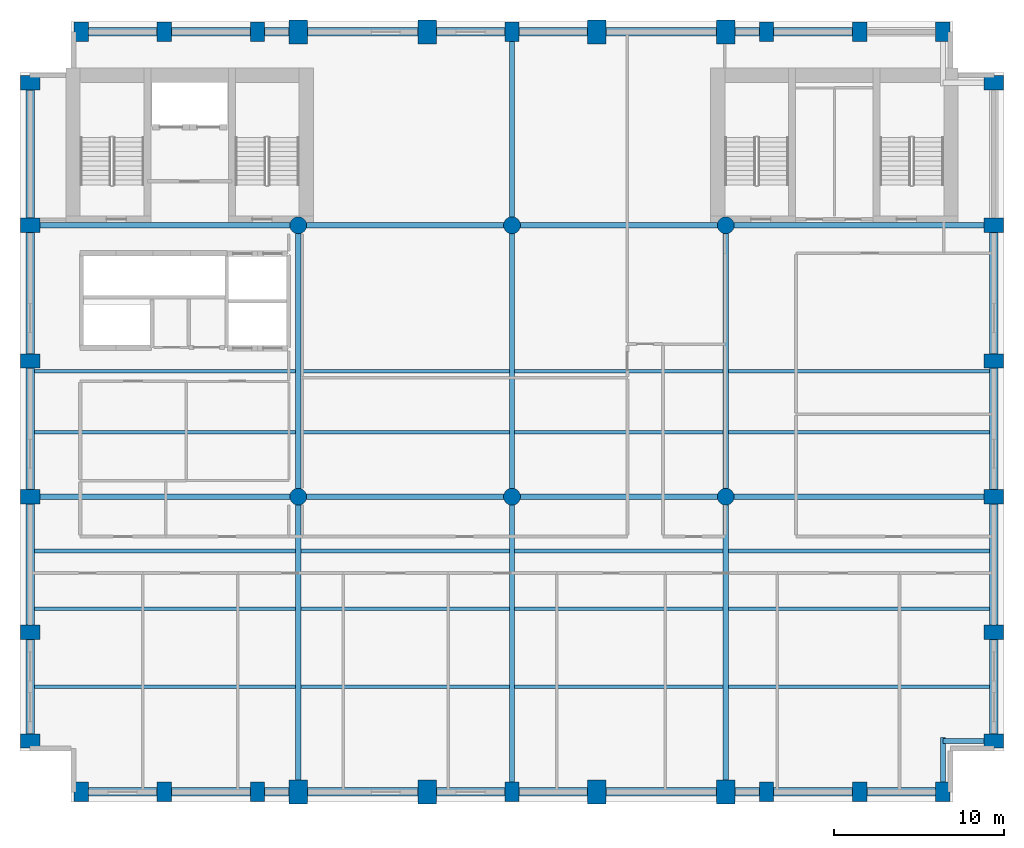
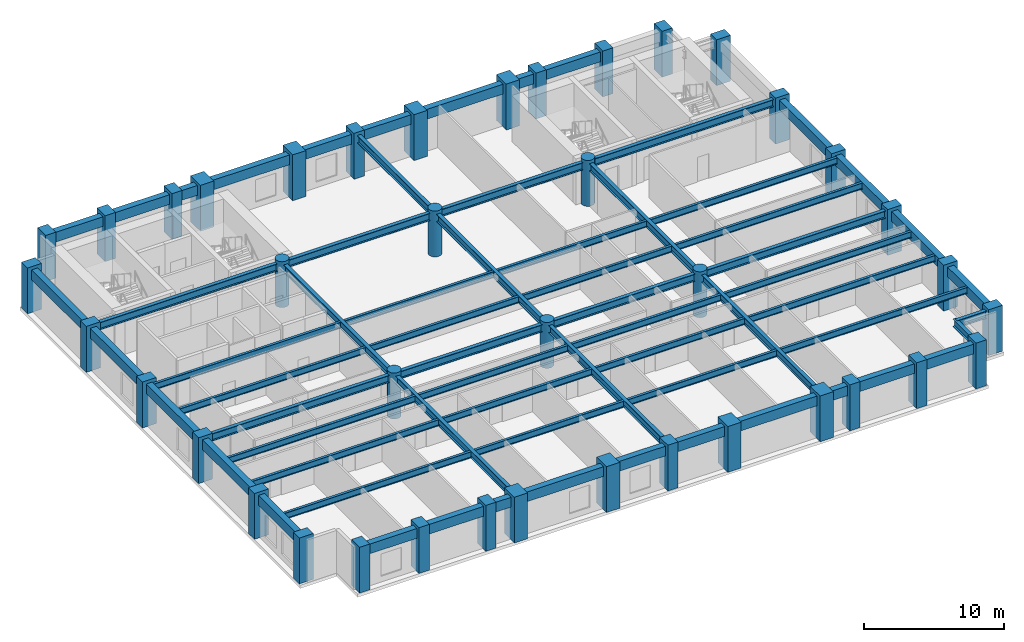
# One storey, part 1 of 8: 65 beams, 40 columns.
"""IFC4 building model written with IfcOpenShell, lengths in metres."""

from ifc_helpers import new_model, si_unit, direction, frame, origin, origin_2d, place, context, subcontext, project, spatial, rectangle, circle, i_section, extrude, material, material_profile, profile_set, type_object, element, save


model = new_model("IFC4")

# Units and contexts
model_context = context("Model", 3, precision=1e-05, world=origin(), true_north=direction((0.0, 1.0)))
body_context = subcontext(model_context, "Body", "Model", "MODEL_VIEW")
ifc_project = project(units=[si_unit("LENGTHUNIT", "METRE"), si_unit("AREAUNIT", "SQUARE_METRE"), si_unit("VOLUMEUNIT", "CUBIC_METRE"), si_unit("PLANEANGLEUNIT", "RADIAN"), si_unit("MASSUNIT", "GRAM", prefix="KILO")], contexts=[model_context])

# Site, building, storey
site_placement = place(None, origin())
site = spatial("IfcSite", under=ifc_project, at=site_placement, CompositionType="ELEMENT")
building_placement = place(site_placement, origin())
building = spatial("IfcBuilding", under=site, at=building_placement, Name="Sulina Concourse Tower", CompositionType="ELEMENT")
storey_placement = place(building_placement, frame((0.0, 0.0, 144.60009765625)))
storey = spatial("IfcBuildingStorey", under=building, at=storey_placement, Name="L35", CompositionType="ELEMENT", Elevation=144.60009765625)

# Columns
ifc_material_1 = material(Name="Concrete C60/75", Category="concrete")
ifc_material_profile_1 = material_profile(ifc_material_1, circle(Radius=0.5, at=origin_2d()), Name="RC D1000")
ifc_profile_set_1 = profile_set([ifc_material_profile_1], Name="Concrete C60/75")
column_type_1 = type_object("IfcColumnType", Name="Lower Interior Circular Column D1000", PredefinedType="COLUMN", material=ifc_profile_set_1)
for number, where, z_axis, x_axis, name in (
    (1, (16.39990234375, 18.0, 0.0), (0.0, 0.0, 1.0), (1.0, 0.0, 0.0), "L35 structural column IC-M-164"),
    (2, (16.39990234375, 34.0, 0.0), (0.0, 0.0, 1.0), (1.0, 0.0, 0.0), "L35 structural column IC-N-164"),
    (3, (29.0, 18.0, 0.0), (0.0, 0.0, 1.0), (1.0, 0.0, 0.0), "L35 structural column IC-M-290"),
    (4, (29.0, 34.0, 0.0), (0.0, 0.0, 1.0), (1.0, 0.0, 0.0), "L35 structural column IC-N-290"),
    (5, (41.60009765625, 18.0, 0.0), (0.0, 0.0, 1.0), (1.0, 0.0, 0.0), "L35 structural column IC-M-416"),
    (6, (41.60009765625, 34.0, 0.0), (0.0, 0.0, 1.0), (1.0, 0.0, 0.0), "L35 structural column IC-N-416"),
):
    element("IfcColumn", number, at=place(storey_placement, frame(where, z_axis=z_axis, x_axis=x_axis)), inside=storey, type_object=column_type_1, Name=name, PredefinedType="COLUMN", context=body_context, shape_type="SweptSolid", body=[
        extrude(circle(Radius=0.5, at=origin_2d()), origin(), (0.0, 0.0, 1.0), 4.0),
    ])
ifc_material_2 = material(Name="Concrete C60/75", Category="concrete")
ifc_material_profile_2 = material_profile(ifc_material_2, rectangle(XDim=1.10009765625, YDim=1.39990234375, at=origin_2d()), Name="RC 1100x1400")
ifc_profile_set_2 = profile_set([ifc_material_profile_2], Name="Concrete C60/75")
column_type_2 = type_object("IfcColumnType", Name="Mid-Rise Portal Column 1100x1400", PredefinedType="COLUMN", material=ifc_profile_set_2)
for number, where, z_axis, x_axis, name in (
    (7, (16.39990234375, 0.60009765625, 0.0), (0.0, 0.0, 1.0), (1.0, 0.0, 0.0), "L35 structural column TP-S-164"),
    (8, (16.39990234375, 45.39990234375, 0.0), (0.0, 0.0, 1.0), (1.0, 0.0, 0.0), "L35 structural column TP-N-164"),
    (9, (24.0, 0.60009765625, 0.0), (0.0, 0.0, 1.0), (1.0, 0.0, 0.0), "L35 structural column TP-S-240"),
    (10, (24.0, 45.39990234375, 0.0), (0.0, 0.0, 1.0), (1.0, 0.0, 0.0), "L35 structural column TP-N-240"),
    (11, (34.0, 0.60009765625, 0.0), (0.0, 0.0, 1.0), (1.0, 0.0, 0.0), "L35 structural column TP-S-340"),
    (12, (34.0, 45.39990234375, 0.0), (0.0, 0.0, 1.0), (1.0, 0.0, 0.0), "L35 structural column TP-N-340"),
    (13, (41.60009765625, 0.60009765625, 0.0), (0.0, 0.0, 1.0), (1.0, 0.0, 0.0), "L35 structural column TP-S-416"),
    (14, (41.60009765625, 45.39990234375, 0.0), (0.0, 0.0, 1.0), (1.0, 0.0, 0.0), "L35 structural column TP-N-416"),
):
    element("IfcColumn", number, at=place(storey_placement, frame(where, z_axis=z_axis, x_axis=x_axis)), inside=storey, type_object=column_type_2, Name=name, PredefinedType="COLUMN", context=body_context, shape_type="SweptSolid", body=[
        extrude(rectangle(XDim=1.10009765625, YDim=1.39990234375, at=origin_2d()), origin(), (0.0, 0.0, 1.0), 4.0),
    ])
ifc_material_3 = material(Name="Precast concrete C60/75", Category="concrete")
ifc_material_profile_3 = material_profile(ifc_material_3, rectangle(XDim=0.85009765625, YDim=1.14990234375, at=origin_2d()), Name="PC 850x1150")
ifc_profile_set_3 = profile_set([ifc_material_profile_3], Name="Precast concrete C60/75")
column_type_3 = type_object("IfcColumnType", Name="Precast Tube Pier Zone 2 850x1150", PredefinedType="COLUMN", material=ifc_profile_set_3)
for number, where, z_axis, x_axis, name in (
    (15, (3.60009765625, 0.60009765625, 0.0), (0.0, 0.0, 1.0), (1.0, 0.0, 0.0), "L35 structural column TP-S-36"),
    (16, (3.60009765625, 45.39990234375, 0.0), (0.0, 0.0, 1.0), (1.0, 0.0, 0.0), "L35 structural column TP-N-36"),
    (17, (8.5, 0.60009765625, 0.0), (0.0, 0.0, 1.0), (1.0, 0.0, 0.0), "L35 structural column TP-S-85"),
    (18, (8.5, 45.39990234375, 0.0), (0.0, 0.0, 1.0), (1.0, 0.0, 0.0), "L35 structural column TP-N-85"),
    (19, (14.0, 0.60009765625, 0.0), (0.0, 0.0, 1.0), (1.0, 0.0, 0.0), "L35 structural column TP-S-140"),
    (20, (14.0, 45.39990234375, 0.0), (0.0, 0.0, 1.0), (1.0, 0.0, 0.0), "L35 structural column TP-N-140"),
    (21, (29.0, 0.60009765625, 0.0), (0.0, 0.0, 1.0), (1.0, 0.0, 0.0), "L35 structural column TP-S-290"),
    (22, (29.0, 45.39990234375, 0.0), (0.0, 0.0, 1.0), (1.0, 0.0, 0.0), "L35 structural column TP-N-290"),
    (23, (44.0, 0.60009765625, 0.0), (0.0, 0.0, 1.0), (1.0, 0.0, 0.0), "L35 structural column TP-S-440"),
    (24, (44.0, 45.39990234375, 0.0), (0.0, 0.0, 1.0), (1.0, 0.0, 0.0), "L35 structural column TP-N-440"),
    (25, (49.5, 0.60009765625, 0.0), (0.0, 0.0, 1.0), (1.0, 0.0, 0.0), "L35 structural column TP-S-495"),
    (26, (49.5, 45.39990234375, 0.0), (0.0, 0.0, 1.0), (1.0, 0.0, 0.0), "L35 structural column TP-N-495"),
    (27, (54.39990234375, 0.60009765625, 0.0), (0.0, 0.0, 1.0), (1.0, 0.0, 0.0), "L35 structural column TP-S-544"),
    (28, (54.39990234375, 45.39990234375, 0.0), (0.0, 0.0, 1.0), (1.0, 0.0, 0.0), "L35 structural column TP-N-544"),
    (29, (0.60009765625, 3.60009765625, 0.0), (0.0, 0.0, 1.0), (0.0, 1.0, 0.0), "L35 structural column TP-W-36"),
    (30, (57.39990234375, 3.60009765625, 0.0), (0.0, 0.0, 1.0), (0.0, 1.0, 0.0), "L35 structural column TP-E-36"),
    (31, (0.60009765625, 10.0, 0.0), (0.0, 0.0, 1.0), (0.0, 1.0, 0.0), "L35 structural column TP-W-100"),
    (32, (57.39990234375, 10.0, 0.0), (0.0, 0.0, 1.0), (0.0, 1.0, 0.0), "L35 structural column TP-E-100"),
    (33, (0.60009765625, 18.0, 0.0), (0.0, 0.0, 1.0), (0.0, 1.0, 0.0), "L35 structural column TP-W-180"),
    (34, (57.39990234375, 18.0, 0.0), (0.0, 0.0, 1.0), (0.0, 1.0, 0.0), "L35 structural column TP-E-180"),
    (35, (0.60009765625, 26.0, 0.0), (0.0, 0.0, 1.0), (0.0, 1.0, 0.0), "L35 structural column TP-W-260"),
    (36, (57.39990234375, 26.0, 0.0), (0.0, 0.0, 1.0), (0.0, 1.0, 0.0), "L35 structural column TP-E-260"),
    (37, (0.60009765625, 34.0, 0.0), (0.0, 0.0, 1.0), (0.0, 1.0, 0.0), "L35 structural column TP-W-340"),
    (38, (57.39990234375, 34.0, 0.0), (0.0, 0.0, 1.0), (0.0, 1.0, 0.0), "L35 structural column TP-E-340"),
    (39, (0.60009765625, 42.39990234375, 0.0), (0.0, 0.0, 1.0), (0.0, 1.0, 0.0), "L35 structural column TP-W-424"),
    (40, (57.39990234375, 42.39990234375, 0.0), (0.0, 0.0, 1.0), (0.0, 1.0, 0.0), "L35 structural column TP-E-424"),
):
    element("IfcColumn", number, at=place(storey_placement, frame(where, z_axis=z_axis, x_axis=x_axis)), inside=storey, type_object=column_type_3, Name=name, PredefinedType="COLUMN", context=body_context, shape_type="SweptSolid", body=[
        extrude(rectangle(XDim=0.85009765625, YDim=1.14990234375, at=origin_2d()), origin(), (0.0, 0.0, 1.0), 4.0),
    ])

# Beams
ifc_material_4 = material(Name="Steel S355", Category="steel")
ifc_material_profile_4 = material_profile(ifc_material_4, i_section(OverallWidth=0.2099609375, OverallDepth=0.550048828125, WebThickness=0.010986328125, FlangeThickness=0.01708984375, at=origin_2d()), Name="IPE 550")
ifc_profile_set_4 = profile_set([ifc_material_profile_4], Name="Steel S355")
beam_type_1 = type_object("IfcBeamType", Name="Composite Floor Joist IPE550", PredefinedType="JOIST", material=ifc_profile_set_4)
beam_1_placement = place(storey_placement, frame((0.85009765625, 6.800048828125, 3.449951171875), z_axis=(1.0, 0.0, 0.0), x_axis=(0.0, 1.0, 0.0)))
element("IfcBeam", 41, at=beam_1_placement, inside=storey, type_object=beam_type_1, Name="FJ-J06-1-L35", PredefinedType="JOIST", context=body_context, shape_type="SweptSolid", body=[
    extrude(i_section(OverallWidth=0.2099609375, OverallDepth=0.550048828125, WebThickness=0.010986328125, FlangeThickness=0.01708984375, at=origin_2d()), origin(), (0.0, 0.0, 1.0), 15.39990234375),
])
for number, where, z_axis, x_axis, name in (
    (42, (16.550048828125, 6.800048828125, 3.449951171875), (1.0, 0.0, 0.0), (0.0, 1.0, 0.0), "FJ-J06-2-L35"),
    (43, (29.14990234375, 6.800048828125, 3.449951171875), (1.0, 0.0, 0.0), (0.0, 1.0, 0.0), "FJ-J06-3-L35"),
):
    element("IfcBeam", number, at=place(storey_placement, frame(where, z_axis=z_axis, x_axis=x_axis)), inside=storey, type_object=beam_type_1, Name=name, PredefinedType="JOIST", context=body_context, shape_type="SweptSolid", body=[
        extrude(i_section(OverallWidth=0.2099609375, OverallDepth=0.550048828125, WebThickness=0.010986328125, FlangeThickness=0.01708984375, at=origin_2d()), origin(), (0.0, 0.0, 1.0), 12.300048828125),
    ])
for number, where, z_axis, x_axis, name in (
    (44, (41.75, 6.800048828125, 3.449951171875), (1.0, 0.0, 0.0), (0.0, 1.0, 0.0), "FJ-J06-4-L35"),
    (45, (0.85009765625, 11.39990234375, 3.449951171875), (1.0, 0.0, 0.0), (0.0, 1.0, 0.0), "FJ-J11-1-L35"),
):
    element("IfcBeam", number, at=place(storey_placement, frame(where, z_axis=z_axis, x_axis=x_axis)), inside=storey, type_object=beam_type_1, Name=name, PredefinedType="JOIST", context=body_context, shape_type="SweptSolid", body=[
        extrude(i_section(OverallWidth=0.2099609375, OverallDepth=0.550048828125, WebThickness=0.010986328125, FlangeThickness=0.01708984375, at=origin_2d()), origin(), (0.0, 0.0, 1.0), 15.39990234375),
    ])
for number, where, z_axis, x_axis, name in (
    (46, (16.550048828125, 11.39990234375, 3.449951171875), (1.0, 0.0, 0.0), (0.0, 1.0, 0.0), "FJ-J11-2-L35"),
    (47, (29.14990234375, 11.39990234375, 3.449951171875), (1.0, 0.0, 0.0), (0.0, 1.0, 0.0), "FJ-J11-3-L35"),
):
    element("IfcBeam", number, at=place(storey_placement, frame(where, z_axis=z_axis, x_axis=x_axis)), inside=storey, type_object=beam_type_1, Name=name, PredefinedType="JOIST", context=body_context, shape_type="SweptSolid", body=[
        extrude(i_section(OverallWidth=0.2099609375, OverallDepth=0.550048828125, WebThickness=0.010986328125, FlangeThickness=0.01708984375, at=origin_2d()), origin(), (0.0, 0.0, 1.0), 12.300048828125),
    ])
for number, where, z_axis, x_axis, name in (
    (48, (41.75, 11.39990234375, 3.449951171875), (1.0, 0.0, 0.0), (0.0, 1.0, 0.0), "FJ-J11-4-L35"),
    (49, (0.85009765625, 14.800048828125, 3.449951171875), (1.0, 0.0, 0.0), (0.0, 1.0, 0.0), "FJ-J15-1-L35"),
):
    element("IfcBeam", number, at=place(storey_placement, frame(where, z_axis=z_axis, x_axis=x_axis)), inside=storey, type_object=beam_type_1, Name=name, PredefinedType="JOIST", context=body_context, shape_type="SweptSolid", body=[
        extrude(i_section(OverallWidth=0.2099609375, OverallDepth=0.550048828125, WebThickness=0.010986328125, FlangeThickness=0.01708984375, at=origin_2d()), origin(), (0.0, 0.0, 1.0), 15.39990234375),
    ])
for number, where, z_axis, x_axis, name in (
    (50, (16.550048828125, 14.800048828125, 3.449951171875), (1.0, 0.0, 0.0), (0.0, 1.0, 0.0), "FJ-J15-2-L35"),
    (51, (29.14990234375, 14.800048828125, 3.449951171875), (1.0, 0.0, 0.0), (0.0, 1.0, 0.0), "FJ-J15-3-L35"),
):
    element("IfcBeam", number, at=place(storey_placement, frame(where, z_axis=z_axis, x_axis=x_axis)), inside=storey, type_object=beam_type_1, Name=name, PredefinedType="JOIST", context=body_context, shape_type="SweptSolid", body=[
        extrude(i_section(OverallWidth=0.2099609375, OverallDepth=0.550048828125, WebThickness=0.010986328125, FlangeThickness=0.01708984375, at=origin_2d()), origin(), (0.0, 0.0, 1.0), 12.300048828125),
    ])
for number, where, z_axis, x_axis, name in (
    (52, (41.75, 14.800048828125, 3.449951171875), (1.0, 0.0, 0.0), (0.0, 1.0, 0.0), "FJ-J15-4-L35"),
    (53, (0.85009765625, 21.800048828125, 3.449951171875), (1.0, 0.0, 0.0), (0.0, 1.0, 0.0), "FJ-J22-1-L35"),
):
    element("IfcBeam", number, at=place(storey_placement, frame(where, z_axis=z_axis, x_axis=x_axis)), inside=storey, type_object=beam_type_1, Name=name, PredefinedType="JOIST", context=body_context, shape_type="SweptSolid", body=[
        extrude(i_section(OverallWidth=0.2099609375, OverallDepth=0.550048828125, WebThickness=0.010986328125, FlangeThickness=0.01708984375, at=origin_2d()), origin(), (0.0, 0.0, 1.0), 15.39990234375),
    ])
for number, where, z_axis, x_axis, name in (
    (54, (16.550048828125, 21.800048828125, 3.449951171875), (1.0, 0.0, 0.0), (0.0, 1.0, 0.0), "FJ-J22-2-L35"),
    (55, (29.14990234375, 21.800048828125, 3.449951171875), (1.0, 0.0, 0.0), (0.0, 1.0, 0.0), "FJ-J22-3-L35"),
):
    element("IfcBeam", number, at=place(storey_placement, frame(where, z_axis=z_axis, x_axis=x_axis)), inside=storey, type_object=beam_type_1, Name=name, PredefinedType="JOIST", context=body_context, shape_type="SweptSolid", body=[
        extrude(i_section(OverallWidth=0.2099609375, OverallDepth=0.550048828125, WebThickness=0.010986328125, FlangeThickness=0.01708984375, at=origin_2d()), origin(), (0.0, 0.0, 1.0), 12.300048828125),
    ])
for number, where, z_axis, x_axis, name in (
    (56, (41.75, 21.800048828125, 3.449951171875), (1.0, 0.0, 0.0), (0.0, 1.0, 0.0), "FJ-J22-4-L35"),
    (57, (0.85009765625, 25.39990234375, 3.449951171875), (1.0, 0.0, 0.0), (0.0, 1.0, 0.0), "FJ-J25-1-L35"),
):
    element("IfcBeam", number, at=place(storey_placement, frame(where, z_axis=z_axis, x_axis=x_axis)), inside=storey, type_object=beam_type_1, Name=name, PredefinedType="JOIST", context=body_context, shape_type="SweptSolid", body=[
        extrude(i_section(OverallWidth=0.2099609375, OverallDepth=0.550048828125, WebThickness=0.010986328125, FlangeThickness=0.01708984375, at=origin_2d()), origin(), (0.0, 0.0, 1.0), 15.39990234375),
    ])
for number, where, z_axis, x_axis, name in (
    (58, (16.550048828125, 25.39990234375, 3.449951171875), (1.0, 0.0, 0.0), (0.0, 1.0, 0.0), "FJ-J25-2-L35"),
    (59, (29.14990234375, 25.39990234375, 3.449951171875), (1.0, 0.0, 0.0), (0.0, 1.0, 0.0), "FJ-J25-3-L35"),
):
    element("IfcBeam", number, at=place(storey_placement, frame(where, z_axis=z_axis, x_axis=x_axis)), inside=storey, type_object=beam_type_1, Name=name, PredefinedType="JOIST", context=body_context, shape_type="SweptSolid", body=[
        extrude(i_section(OverallWidth=0.2099609375, OverallDepth=0.550048828125, WebThickness=0.010986328125, FlangeThickness=0.01708984375, at=origin_2d()), origin(), (0.0, 0.0, 1.0), 12.300048828125),
    ])
beam_2_placement = place(storey_placement, frame((41.75, 25.39990234375, 3.449951171875), z_axis=(1.0, 0.0, 0.0), x_axis=(0.0, 1.0, 0.0)))
element("IfcBeam", 60, at=beam_2_placement, inside=storey, type_object=beam_type_1, Name="FJ-J25-4-L35", PredefinedType="JOIST", context=body_context, shape_type="SweptSolid", body=[
    extrude(i_section(OverallWidth=0.2099609375, OverallDepth=0.550048828125, WebThickness=0.010986328125, FlangeThickness=0.01708984375, at=origin_2d()), origin(), (0.0, 0.0, 1.0), 15.39990234375),
])
ifc_material_5 = material(Name="Steel S355", Category="steel")
ifc_material_profile_5 = material_profile(ifc_material_5, i_section(OverallWidth=0.300048828125, OverallDepth=0.64990234375, WebThickness=0.01611328125, FlangeThickness=0.031005859375, at=origin_2d()), Name="HE 650 B")
ifc_profile_set_5 = profile_set([ifc_material_profile_5], Name="Steel S355")
beam_type_2 = type_object("IfcBeamType", Name="Floor Primary Girder Zone 2 HE650B", PredefinedType="BEAM", material=ifc_profile_set_5)
beam_3_placement = place(storey_placement, frame((54.39990234375, 3.60009765625, 3.39990234375), z_axis=(1.0, 0.0, 0.0), x_axis=(0.0, 1.0, 0.0)))
element("IfcBeam", 61, at=beam_3_placement, inside=storey, type_object=beam_type_2, Name="TIE-SE-L35", PredefinedType="BEAM", context=body_context, shape_type="SweptSolid", body=[
    extrude(i_section(OverallWidth=0.300048828125, OverallDepth=0.64990234375, WebThickness=0.01611328125, FlangeThickness=0.031005859375, at=origin_2d()), origin(), (0.0, 0.0, 1.0), 2.59521484375),
])
beam_4_placement = place(storey_placement, frame((54.39990234375, 1.0048828125, 3.39990234375), z_axis=(0.0, 1.0, 0.0), x_axis=(-1.0, 0.0, 0.0)))
element("IfcBeam", 62, at=beam_4_placement, inside=storey, type_object=beam_type_2, Name="TIE-SES-L35", PredefinedType="BEAM", context=body_context, shape_type="SweptSolid", body=[
    extrude(i_section(OverallWidth=0.300048828125, OverallDepth=0.64990234375, WebThickness=0.01611328125, FlangeThickness=0.031005859375, at=origin_2d()), origin(), (0.0, 0.0, 1.0), 2.795166015625),
])
beam_5_placement = place(storey_placement, frame((1.0048828125, 18.0, 3.39990234375), z_axis=(1.0, 0.0, 0.0), x_axis=(0.0, 1.0, 0.0)))
element("IfcBeam", 63, at=beam_5_placement, inside=storey, type_object=beam_type_2, Name="FG-EW1-L35", PredefinedType="BEAM", context=body_context, shape_type="SweptSolid", body=[
    extrude(i_section(OverallWidth=0.300048828125, OverallDepth=0.64990234375, WebThickness=0.01611328125, FlangeThickness=0.031005859375, at=origin_2d()), origin(), (0.0, 0.0, 1.0), 14.9150390625),
])
for number, where, z_axis, x_axis, name in (
    (64, (16.8798828125, 18.0, 3.39990234375), (1.0, 0.0, 0.0), (0.0, 1.0, 0.0), "FG-EW2-L35"),
    (65, (29.47998046875, 18.0, 3.39990234375), (1.0, 0.0, 0.0), (0.0, 1.0, 0.0), "FG-EW3-L35"),
):
    element("IfcBeam", number, at=place(storey_placement, frame(where, z_axis=z_axis, x_axis=x_axis)), inside=storey, type_object=beam_type_2, Name=name, PredefinedType="BEAM", context=body_context, shape_type="SweptSolid", body=[
        extrude(i_section(OverallWidth=0.300048828125, OverallDepth=0.64990234375, WebThickness=0.01611328125, FlangeThickness=0.031005859375, at=origin_2d()), origin(), (0.0, 0.0, 1.0), 11.64013671875),
    ])
for number, where, z_axis, x_axis, name in (
    (66, (42.080078125, 18.0, 3.39990234375), (1.0, 0.0, 0.0), (0.0, 1.0, 0.0), "FG-EW4-L35"),
    (67, (1.0048828125, 34.0, 3.39990234375), (1.0, 0.0, 0.0), (0.0, 1.0, 0.0), "FG-EWN1-L35"),
):
    element("IfcBeam", number, at=place(storey_placement, frame(where, z_axis=z_axis, x_axis=x_axis)), inside=storey, type_object=beam_type_2, Name=name, PredefinedType="BEAM", context=body_context, shape_type="SweptSolid", body=[
        extrude(i_section(OverallWidth=0.300048828125, OverallDepth=0.64990234375, WebThickness=0.01611328125, FlangeThickness=0.031005859375, at=origin_2d()), origin(), (0.0, 0.0, 1.0), 14.9150390625),
    ])
for number, where, z_axis, x_axis, name in (
    (68, (16.8798828125, 34.0, 3.39990234375), (1.0, 0.0, 0.0), (0.0, 1.0, 0.0), "FG-EWN2-L35"),
    (69, (29.47998046875, 34.0, 3.39990234375), (1.0, 0.0, 0.0), (0.0, 1.0, 0.0), "FG-EWN3-L35"),
):
    element("IfcBeam", number, at=place(storey_placement, frame(where, z_axis=z_axis, x_axis=x_axis)), inside=storey, type_object=beam_type_2, Name=name, PredefinedType="BEAM", context=body_context, shape_type="SweptSolid", body=[
        extrude(i_section(OverallWidth=0.300048828125, OverallDepth=0.64990234375, WebThickness=0.01611328125, FlangeThickness=0.031005859375, at=origin_2d()), origin(), (0.0, 0.0, 1.0), 11.64013671875),
    ])
beam_6_placement = place(storey_placement, frame((42.080078125, 34.0, 3.39990234375), z_axis=(1.0, 0.0, 0.0), x_axis=(0.0, 1.0, 0.0)))
element("IfcBeam", 70, at=beam_6_placement, inside=storey, type_object=beam_type_2, Name="FG-EWN4-L35", PredefinedType="BEAM", context=body_context, shape_type="SweptSolid", body=[
    extrude(i_section(OverallWidth=0.300048828125, OverallDepth=0.64990234375, WebThickness=0.01611328125, FlangeThickness=0.031005859375, at=origin_2d()), origin(), (0.0, 0.0, 1.0), 14.9150390625),
])
beam_7_placement = place(storey_placement, frame((16.39990234375, 1.1298828125, 3.39990234375), z_axis=(0.0, 1.0, 0.0), x_axis=(-1.0, 0.0, 0.0)))
element("IfcBeam", 71, at=beam_7_placement, inside=storey, type_object=beam_type_2, Name="FG-NSA-16-L35", PredefinedType="BEAM", context=body_context, shape_type="SweptSolid", body=[
    extrude(i_section(OverallWidth=0.300048828125, OverallDepth=0.64990234375, WebThickness=0.01611328125, FlangeThickness=0.031005859375, at=origin_2d()), origin(), (0.0, 0.0, 1.0), 16.39013671875),
])
beam_8_placement = place(storey_placement, frame((16.39990234375, 18.47998046875, 3.39990234375), z_axis=(0.0, 1.0, 0.0), x_axis=(-1.0, 0.0, 0.0)))
element("IfcBeam", 72, at=beam_8_placement, inside=storey, type_object=beam_type_2, Name="FG-NSB-16-L35", PredefinedType="BEAM", context=body_context, shape_type="SweptSolid", body=[
    extrude(i_section(OverallWidth=0.300048828125, OverallDepth=0.64990234375, WebThickness=0.01611328125, FlangeThickness=0.031005859375, at=origin_2d()), origin(), (0.0, 0.0, 1.0), 15.0400390625),
])
beam_9_placement = place(storey_placement, frame((29.0, 1.0048828125, 3.39990234375), z_axis=(0.0, 1.0, 0.0), x_axis=(-1.0, 0.0, 0.0)))
element("IfcBeam", 73, at=beam_9_placement, inside=storey, type_object=beam_type_2, Name="FG-NSA-29-L35", PredefinedType="BEAM", context=body_context, shape_type="SweptSolid", body=[
    extrude(i_section(OverallWidth=0.300048828125, OverallDepth=0.64990234375, WebThickness=0.01611328125, FlangeThickness=0.031005859375, at=origin_2d()), origin(), (0.0, 0.0, 1.0), 16.51513671875),
])
beam_10_placement = place(storey_placement, frame((29.0, 18.47998046875, 3.39990234375), z_axis=(0.0, 1.0, 0.0), x_axis=(-1.0, 0.0, 0.0)))
element("IfcBeam", 74, at=beam_10_placement, inside=storey, type_object=beam_type_2, Name="FG-NSB-29-L35", PredefinedType="BEAM", context=body_context, shape_type="SweptSolid", body=[
    extrude(i_section(OverallWidth=0.300048828125, OverallDepth=0.64990234375, WebThickness=0.01611328125, FlangeThickness=0.031005859375, at=origin_2d()), origin(), (0.0, 0.0, 1.0), 15.0400390625),
])
beam_11_placement = place(storey_placement, frame((29.0, 34.47998046875, 3.39990234375), z_axis=(0.0, 1.0, 0.0), x_axis=(-1.0, 0.0, 0.0)))
element("IfcBeam", 75, at=beam_11_placement, inside=storey, type_object=beam_type_2, Name="FG-NSC-29-L35", PredefinedType="BEAM", context=body_context, shape_type="SweptSolid", body=[
    extrude(i_section(OverallWidth=0.300048828125, OverallDepth=0.64990234375, WebThickness=0.01611328125, FlangeThickness=0.031005859375, at=origin_2d()), origin(), (0.0, 0.0, 1.0), 10.51513671875),
])
beam_12_placement = place(storey_placement, frame((41.60009765625, 1.1298828125, 3.39990234375), z_axis=(0.0, 1.0, 0.0), x_axis=(-1.0, 0.0, 0.0)))
element("IfcBeam", 76, at=beam_12_placement, inside=storey, type_object=beam_type_2, Name="FG-NSA-41-L35", PredefinedType="BEAM", context=body_context, shape_type="SweptSolid", body=[
    extrude(i_section(OverallWidth=0.300048828125, OverallDepth=0.64990234375, WebThickness=0.01611328125, FlangeThickness=0.031005859375, at=origin_2d()), origin(), (0.0, 0.0, 1.0), 16.39013671875),
])
beam_13_placement = place(storey_placement, frame((41.60009765625, 18.47998046875, 3.39990234375), z_axis=(0.0, 1.0, 0.0), x_axis=(-1.0, 0.0, 0.0)))
element("IfcBeam", 77, at=beam_13_placement, inside=storey, type_object=beam_type_2, Name="FG-NSB-41-L35", PredefinedType="BEAM", context=body_context, shape_type="SweptSolid", body=[
    extrude(i_section(OverallWidth=0.300048828125, OverallDepth=0.64990234375, WebThickness=0.01611328125, FlangeThickness=0.031005859375, at=origin_2d()), origin(), (0.0, 0.0, 1.0), 15.0400390625),
])
ifc_material_6 = material(Name="Precast concrete C50/60", Category="concrete")
ifc_material_profile_6 = material_profile(ifc_material_6, rectangle(XDim=0.5, YDim=0.85009765625, at=origin_2d()), Name="RC 500x850")
ifc_profile_set_6 = profile_set([ifc_material_profile_6], Name="Precast concrete C50/60")
beam_type_3 = type_object("IfcBeamType", Name="Lower Precast Spandrel Edge Beam 500x850", PredefinedType="BEAM", material=ifc_profile_set_6)
beam_14_placement = place(storey_placement, frame((4.0048828125, 0.60009765625, 3.2998046875), z_axis=(1.0, 0.0, 0.0), x_axis=(0.0, 1.0, 0.0)))
element("IfcBeam", 78, at=beam_14_placement, inside=storey, type_object=beam_type_3, Name="SP-S1-L35", PredefinedType="BEAM", context=body_context, shape_type="SweptSolid", body=[
    extrude(rectangle(XDim=0.5, YDim=0.85009765625, at=origin_2d()), origin(), (0.0, 0.0, 1.0), 4.090087890625),
])
beam_15_placement = place(storey_placement, frame((8.905029296875, 0.60009765625, 3.2998046875), z_axis=(1.0, 0.0, 0.0), x_axis=(0.0, 1.0, 0.0)))
element("IfcBeam", 79, at=beam_15_placement, inside=storey, type_object=beam_type_3, Name="SP-S2-L35", PredefinedType="BEAM", context=body_context, shape_type="SweptSolid", body=[
    extrude(rectangle(XDim=0.5, YDim=0.85009765625, at=origin_2d()), origin(), (0.0, 0.0, 1.0), 4.68994140625),
])
beam_16_placement = place(storey_placement, frame((14.405029296875, 0.60009765625, 3.2998046875), z_axis=(1.0, 0.0, 0.0), x_axis=(0.0, 1.0, 0.0)))
element("IfcBeam", 80, at=beam_16_placement, inside=storey, type_object=beam_type_3, Name="SP-S3-L35", PredefinedType="BEAM", context=body_context, shape_type="SweptSolid", body=[
    extrude(rectangle(XDim=0.5, YDim=0.85009765625, at=origin_2d()), origin(), (0.0, 0.0, 1.0), 1.465087890625),
])
beam_17_placement = place(storey_placement, frame((16.929931640625, 0.60009765625, 3.2998046875), z_axis=(1.0, 0.0, 0.0), x_axis=(0.0, 1.0, 0.0)))
element("IfcBeam", 81, at=beam_17_placement, inside=storey, type_object=beam_type_3, Name="SP-S4-L35", PredefinedType="BEAM", context=body_context, shape_type="SweptSolid", body=[
    extrude(rectangle(XDim=0.5, YDim=0.85009765625, at=origin_2d()), origin(), (0.0, 0.0, 1.0), 6.5400390625),
])
for number, where, z_axis, x_axis, name in (
    (82, (24.530029296875, 0.60009765625, 3.2998046875), (1.0, 0.0, 0.0), (0.0, 1.0, 0.0), "SP-S5-L35"),
    (83, (29.405029296875, 0.60009765625, 3.2998046875), (1.0, 0.0, 0.0), (0.0, 1.0, 0.0), "SP-S6-L35"),
):
    element("IfcBeam", number, at=place(storey_placement, frame(where, z_axis=z_axis, x_axis=x_axis)), inside=storey, type_object=beam_type_3, Name=name, PredefinedType="BEAM", context=body_context, shape_type="SweptSolid", body=[
        extrude(rectangle(XDim=0.5, YDim=0.85009765625, at=origin_2d()), origin(), (0.0, 0.0, 1.0), 4.06494140625),
    ])
beam_18_placement = place(storey_placement, frame((34.530029296875, 0.60009765625, 3.2998046875), z_axis=(1.0, 0.0, 0.0), x_axis=(0.0, 1.0, 0.0)))
element("IfcBeam", 84, at=beam_18_placement, inside=storey, type_object=beam_type_3, Name="SP-S7-L35", PredefinedType="BEAM", context=body_context, shape_type="SweptSolid", body=[
    extrude(rectangle(XDim=0.5, YDim=0.85009765625, at=origin_2d()), origin(), (0.0, 0.0, 1.0), 6.5400390625),
])
beam_19_placement = place(storey_placement, frame((42.1298828125, 0.60009765625, 3.2998046875), z_axis=(1.0, 0.0, 0.0), x_axis=(0.0, 1.0, 0.0)))
element("IfcBeam", 85, at=beam_19_placement, inside=storey, type_object=beam_type_3, Name="SP-S8-L35", PredefinedType="BEAM", context=body_context, shape_type="SweptSolid", body=[
    extrude(rectangle(XDim=0.5, YDim=0.85009765625, at=origin_2d()), origin(), (0.0, 0.0, 1.0), 1.465087890625),
])
beam_20_placement = place(storey_placement, frame((44.405029296875, 0.60009765625, 3.2998046875), z_axis=(1.0, 0.0, 0.0), x_axis=(0.0, 1.0, 0.0)))
element("IfcBeam", 86, at=beam_20_placement, inside=storey, type_object=beam_type_3, Name="SP-S9-L35", PredefinedType="BEAM", context=body_context, shape_type="SweptSolid", body=[
    extrude(rectangle(XDim=0.5, YDim=0.85009765625, at=origin_2d()), origin(), (0.0, 0.0, 1.0), 4.68994140625),
])
for number, where, z_axis, x_axis, name in (
    (87, (49.905029296875, 0.60009765625, 3.2998046875), (1.0, 0.0, 0.0), (0.0, 1.0, 0.0), "SP-S10-L35"),
    (88, (4.0048828125, 45.39990234375, 3.2998046875), (1.0, 0.0, 0.0), (0.0, 1.0, 0.0), "SP-N1-L35"),
):
    element("IfcBeam", number, at=place(storey_placement, frame(where, z_axis=z_axis, x_axis=x_axis)), inside=storey, type_object=beam_type_3, Name=name, PredefinedType="BEAM", context=body_context, shape_type="SweptSolid", body=[
        extrude(rectangle(XDim=0.5, YDim=0.85009765625, at=origin_2d()), origin(), (0.0, 0.0, 1.0), 4.090087890625),
    ])
beam_21_placement = place(storey_placement, frame((8.905029296875, 45.39990234375, 3.2998046875), z_axis=(1.0, 0.0, 0.0), x_axis=(0.0, 1.0, 0.0)))
element("IfcBeam", 89, at=beam_21_placement, inside=storey, type_object=beam_type_3, Name="SP-N2-L35", PredefinedType="BEAM", context=body_context, shape_type="SweptSolid", body=[
    extrude(rectangle(XDim=0.5, YDim=0.85009765625, at=origin_2d()), origin(), (0.0, 0.0, 1.0), 4.68994140625),
])
beam_22_placement = place(storey_placement, frame((14.405029296875, 45.39990234375, 3.2998046875), z_axis=(1.0, 0.0, 0.0), x_axis=(0.0, 1.0, 0.0)))
element("IfcBeam", 90, at=beam_22_placement, inside=storey, type_object=beam_type_3, Name="SP-N3-L35", PredefinedType="BEAM", context=body_context, shape_type="SweptSolid", body=[
    extrude(rectangle(XDim=0.5, YDim=0.85009765625, at=origin_2d()), origin(), (0.0, 0.0, 1.0), 1.465087890625),
])
beam_23_placement = place(storey_placement, frame((16.929931640625, 45.39990234375, 3.2998046875), z_axis=(1.0, 0.0, 0.0), x_axis=(0.0, 1.0, 0.0)))
element("IfcBeam", 91, at=beam_23_placement, inside=storey, type_object=beam_type_3, Name="SP-N4-L35", PredefinedType="BEAM", context=body_context, shape_type="SweptSolid", body=[
    extrude(rectangle(XDim=0.5, YDim=0.85009765625, at=origin_2d()), origin(), (0.0, 0.0, 1.0), 6.5400390625),
])
for number, where, z_axis, x_axis, name in (
    (92, (24.530029296875, 45.39990234375, 3.2998046875), (1.0, 0.0, 0.0), (0.0, 1.0, 0.0), "SP-N5-L35"),
    (93, (29.405029296875, 45.39990234375, 3.2998046875), (1.0, 0.0, 0.0), (0.0, 1.0, 0.0), "SP-N6-L35"),
):
    element("IfcBeam", number, at=place(storey_placement, frame(where, z_axis=z_axis, x_axis=x_axis)), inside=storey, type_object=beam_type_3, Name=name, PredefinedType="BEAM", context=body_context, shape_type="SweptSolid", body=[
        extrude(rectangle(XDim=0.5, YDim=0.85009765625, at=origin_2d()), origin(), (0.0, 0.0, 1.0), 4.06494140625),
    ])
beam_24_placement = place(storey_placement, frame((34.530029296875, 45.39990234375, 3.2998046875), z_axis=(1.0, 0.0, 0.0), x_axis=(0.0, 1.0, 0.0)))
element("IfcBeam", 94, at=beam_24_placement, inside=storey, type_object=beam_type_3, Name="SP-N7-L35", PredefinedType="BEAM", context=body_context, shape_type="SweptSolid", body=[
    extrude(rectangle(XDim=0.5, YDim=0.85009765625, at=origin_2d()), origin(), (0.0, 0.0, 1.0), 6.5400390625),
])
beam_25_placement = place(storey_placement, frame((42.1298828125, 45.39990234375, 3.2998046875), z_axis=(1.0, 0.0, 0.0), x_axis=(0.0, 1.0, 0.0)))
element("IfcBeam", 95, at=beam_25_placement, inside=storey, type_object=beam_type_3, Name="SP-N8-L35", PredefinedType="BEAM", context=body_context, shape_type="SweptSolid", body=[
    extrude(rectangle(XDim=0.5, YDim=0.85009765625, at=origin_2d()), origin(), (0.0, 0.0, 1.0), 1.465087890625),
])
beam_26_placement = place(storey_placement, frame((44.405029296875, 45.39990234375, 3.2998046875), z_axis=(1.0, 0.0, 0.0), x_axis=(0.0, 1.0, 0.0)))
element("IfcBeam", 96, at=beam_26_placement, inside=storey, type_object=beam_type_3, Name="SP-N9-L35", PredefinedType="BEAM", context=body_context, shape_type="SweptSolid", body=[
    extrude(rectangle(XDim=0.5, YDim=0.85009765625, at=origin_2d()), origin(), (0.0, 0.0, 1.0), 4.68994140625),
])
beam_27_placement = place(storey_placement, frame((0.60009765625, 4.0048828125, 3.2998046875), z_axis=(0.0, 1.0, 0.0), x_axis=(-1.0, 0.0, 0.0)))
element("IfcBeam", 97, at=beam_27_placement, inside=storey, type_object=beam_type_3, Name="SP-W1-L35", PredefinedType="BEAM", context=body_context, shape_type="SweptSolid", body=[
    extrude(rectangle(XDim=0.5, YDim=0.85009765625, at=origin_2d()), origin(), (0.0, 0.0, 1.0), 5.590087890625),
])
for number, where, z_axis, x_axis, name in (
    (98, (0.60009765625, 10.405029296875, 3.2998046875), (0.0, 1.0, 0.0), (-1.0, 0.0, 0.0), "SP-W2-L35"),
    (99, (0.60009765625, 18.405029296875, 3.2998046875), (0.0, 1.0, 0.0), (-1.0, 0.0, 0.0), "SP-W3-L35"),
    (100, (0.60009765625, 26.405029296875, 3.2998046875), (0.0, 1.0, 0.0), (-1.0, 0.0, 0.0), "SP-W4-L35"),
):
    element("IfcBeam", number, at=place(storey_placement, frame(where, z_axis=z_axis, x_axis=x_axis)), inside=storey, type_object=beam_type_3, Name=name, PredefinedType="BEAM", context=body_context, shape_type="SweptSolid", body=[
        extrude(rectangle(XDim=0.5, YDim=0.85009765625, at=origin_2d()), origin(), (0.0, 0.0, 1.0), 7.18994140625),
    ])
beam_28_placement = place(storey_placement, frame((0.60009765625, 34.405029296875, 3.2998046875), z_axis=(0.0, 1.0, 0.0), x_axis=(-1.0, 0.0, 0.0)))
element("IfcBeam", 101, at=beam_28_placement, inside=storey, type_object=beam_type_3, Name="SP-W5-L35", PredefinedType="BEAM", context=body_context, shape_type="SweptSolid", body=[
    extrude(rectangle(XDim=0.5, YDim=0.85009765625, at=origin_2d()), origin(), (0.0, 0.0, 1.0), 7.590087890625),
])
beam_29_placement = place(storey_placement, frame((57.39990234375, 4.0048828125, 3.2998046875), z_axis=(0.0, 1.0, 0.0), x_axis=(-1.0, 0.0, 0.0)))
element("IfcBeam", 102, at=beam_29_placement, inside=storey, type_object=beam_type_3, Name="SP-E1-L35", PredefinedType="BEAM", context=body_context, shape_type="SweptSolid", body=[
    extrude(rectangle(XDim=0.5, YDim=0.85009765625, at=origin_2d()), origin(), (0.0, 0.0, 1.0), 5.590087890625),
])
for number, where, z_axis, x_axis, name in (
    (103, (57.39990234375, 10.405029296875, 3.2998046875), (0.0, 1.0, 0.0), (-1.0, 0.0, 0.0), "SP-E2-L35"),
    (104, (57.39990234375, 18.405029296875, 3.2998046875), (0.0, 1.0, 0.0), (-1.0, 0.0, 0.0), "SP-E3-L35"),
    (105, (57.39990234375, 26.405029296875, 3.2998046875), (0.0, 1.0, 0.0), (-1.0, 0.0, 0.0), "SP-E4-L35"),
):
    element("IfcBeam", number, at=place(storey_placement, frame(where, z_axis=z_axis, x_axis=x_axis)), inside=storey, type_object=beam_type_3, Name=name, PredefinedType="BEAM", context=body_context, shape_type="SweptSolid", body=[
        extrude(rectangle(XDim=0.5, YDim=0.85009765625, at=origin_2d()), origin(), (0.0, 0.0, 1.0), 7.18994140625),
    ])

save(model, "model.ifc")
